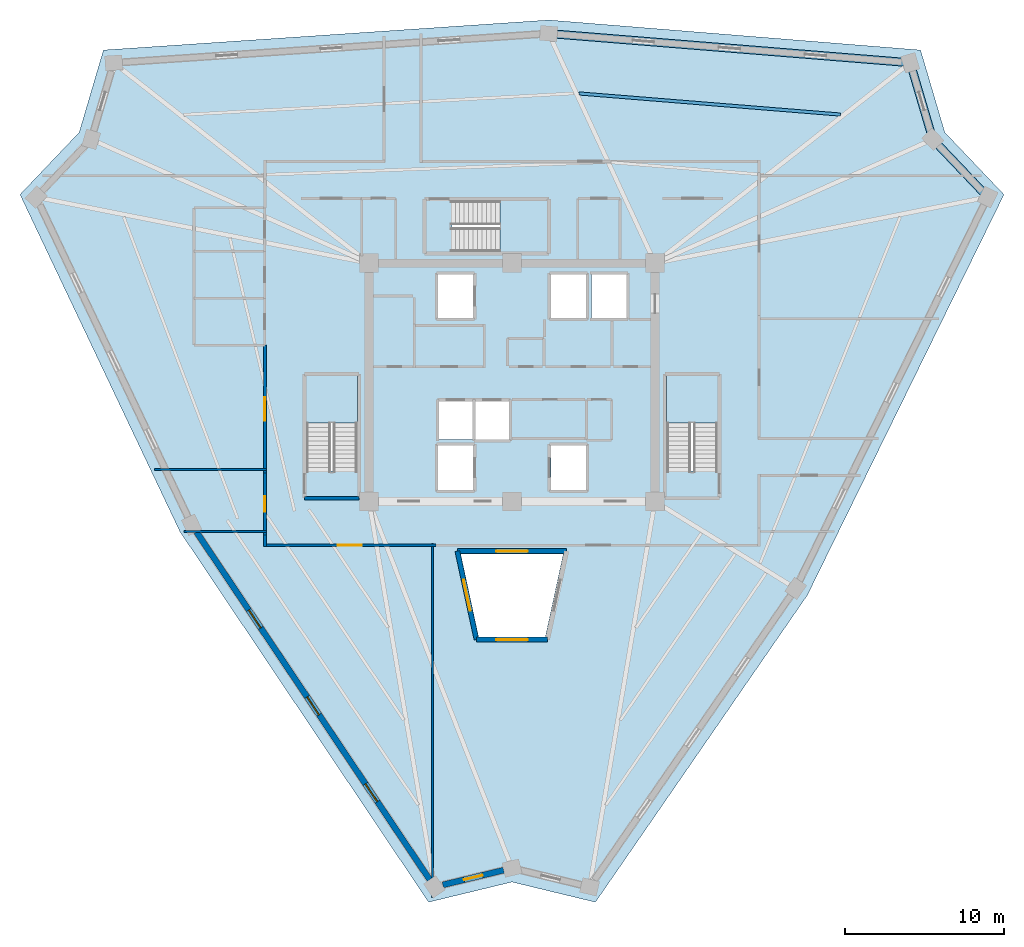
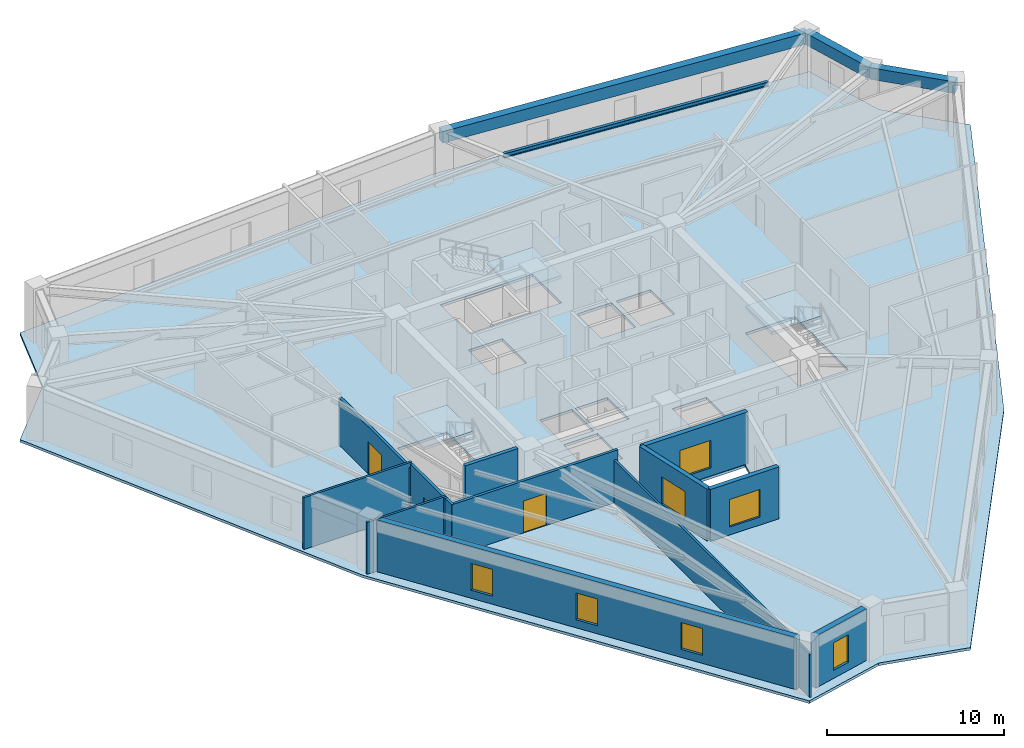
# One storey, part 2 of 8: 13 walls, 7 windows, 4 beams, 4 slabs, 3 doors, 10 openings, 3 elements without a shape of their own.
"""IFC4 building model written with IfcOpenShell, lengths in metres."""

import ifcopenshell
import ifcopenshell.guid

model = None  # the IFC model being written
_history = None  # IfcOwnerHistory: only IFC2X3 demands one
_inside = {}  # id of a spatial element -> (the spatial element, [elements in it])
_under = {}  # id of a project, library or spatial element -> (it, [spatial elements below it])
_declared = {}  # id of a project -> (the project, [libraries it declares])
_typed = {}  # id of a type object -> (the type object, [elements of that type])
_made_of = {}  # id of a material, layer set ... -> (it, [elements and type objects made of it])


def new_model(schema):
    """Start an empty IFC model of exactly this schema.

    Asked for "IFC4X3", IfcOpenShell would pick the latest addendum, in which some entities
    have other attributes; the version numbers below select the first issue.
    IFC2X3 requires an IfcOwnerHistory on every rooted entity: one is made here for all.
    """
    global model, _history
    if schema == "IFC4X3":
        model = ifcopenshell.file(schema_version=(4, 3, 0, 0))
    else:
        model = ifcopenshell.file(schema=schema)
    _inside.clear()
    _under.clear()
    _declared.clear()
    _typed.clear()
    _made_of.clear()
    _history = None
    if model.schema == "IFC2X3":
        org = make("IfcOrganization", Name="unknown")
        user = make(
            "IfcPersonAndOrganization",
            ThePerson=make("IfcPerson", FamilyName="unknown"),
            TheOrganization=org,
        )
        app = make(
            "IfcApplication",
            ApplicationDeveloper=org,
            Version="unknown",
            ApplicationFullName="unknown",
            ApplicationIdentifier="unknown",
        )
        _history = make(
            "IfcOwnerHistory",
            OwningUser=user,
            OwningApplication=app,
            ChangeAction="ADDED",
            CreationDate=0,
        )
    return model


def make(cls, **values):
    """One entity of the class cls with the attributes given. An attribute that is None is left unset."""
    return model.create_entity(
        cls, **{name: value for name, value in values.items() if value is not None}
    )


def rooted(cls, **values):
    """An entity with a GlobalId (a new one), such as an element, a storey or a relation."""
    return make(cls, GlobalId=ifcopenshell.guid.new(), OwnerHistory=_history, **values)


def si_unit(unit_type, name, prefix=None):
    """IfcSIUnit, for example si_unit("LENGTHUNIT", "METRE", prefix="MILLI")."""
    return make("IfcSIUnit", UnitType=unit_type, Prefix=prefix, Name=name)


def assignment(units):
    """IfcUnitAssignment: the units of a project."""
    return None if units is None else make("IfcUnitAssignment", Units=units)


def point(xyz):
    """IfcCartesianPoint."""
    return None if xyz is None else make("IfcCartesianPoint", Coordinates=xyz)


def direction(xyz):
    """IfcDirection."""
    return None if xyz is None else make("IfcDirection", DirectionRatios=xyz)


def frame(location, z_axis=None, x_axis=None):
    """IfcAxis2Placement3D, a coordinate frame: its origin and axes. An axis left out is left unset."""
    return make(
        "IfcAxis2Placement3D",
        Location=point(location),
        Axis=direction(z_axis),
        RefDirection=direction(x_axis),
    )


def frame_2d(location, x_axis=None):
    """IfcAxis2Placement2D, a coordinate frame in the plane: its origin and x axis."""
    return make(
        "IfcAxis2Placement2D", Location=point(location), RefDirection=direction(x_axis)
    )


def origin():
    """The frame at (0, 0, 0) with its axes left unset."""
    return frame((0.0, 0.0, 0.0))


def origin_2d():
    """The frame at (0, 0) in the plane with its x axis left unset."""
    return frame_2d((0.0, 0.0))


def place(relative_to, where):
    """IfcLocalPlacement: puts the frame where relative to a parent placement (None: the world)."""
    return make(
        "IfcLocalPlacement", PlacementRelTo=relative_to, RelativePlacement=where
    )


def context(
    kind, dimensions, precision=None, world=None, true_north=None, identifier=None
):
    """IfcGeometricRepresentationContext, for example the 3D "Model" context."""
    return make(
        "IfcGeometricRepresentationContext",
        ContextIdentifier=identifier,
        ContextType=kind,
        CoordinateSpaceDimension=dimensions,
        Precision=precision,
        WorldCoordinateSystem=world,
        TrueNorth=true_north,
    )


def subcontext(parent, identifier, kind, view, scale=None):
    """IfcGeometricRepresentationSubContext, for example "Body" below "Model"."""
    return make(
        "IfcGeometricRepresentationSubContext",
        ContextIdentifier=identifier,
        ContextType=kind,
        ParentContext=parent,
        TargetScale=scale,
        TargetView=view,
    )


def project(units=None, contexts=None):
    """IfcProject with its units and contexts."""
    return rooted(
        "IfcProject",
        Name="project",
        RepresentationContexts=contexts,
        UnitsInContext=assignment(units),
    )


def spatial(cls, under=None, at=None, **own):
    """A site, building, storey or space (cls), placed at a placement, below another one or the project."""
    s = rooted(cls, ObjectPlacement=at, **own)
    if under is not None:
        _under.setdefault(under.id(), (under, []))[1].append(s)
    return s


def polyline(points):
    """IfcPolyline through the points."""
    return make("IfcPolyline", Points=[point(p) for p in points])


def profile(cls, at=None, kind="AREA", **sizes):
    """A parametric profile (cls). Its sizes go by their IFC names, for example OverallWidth=200.0."""
    return make(cls, ProfileType=kind, Position=at, **sizes)


def rectangle(**sizes):
    """IfcRectangleProfileDef."""
    return profile("IfcRectangleProfileDef", **sizes)


def i_section(**sizes):
    """IfcIShapeProfileDef."""
    return profile("IfcIShapeProfileDef", **sizes)


def outline(outer, holes=None, kind="AREA"):
    """IfcArbitraryClosedProfileDef: a profile drawn as a closed curve; with holes, ...WithVoids."""
    if holes is None:
        return make("IfcArbitraryClosedProfileDef", ProfileType=kind, OuterCurve=outer)
    return make(
        "IfcArbitraryProfileDefWithVoids",
        ProfileType=kind,
        OuterCurve=outer,
        InnerCurves=holes,
    )


def extrude(swept, where, along, depth):
    """IfcExtrudedAreaSolid: the profile swept, set in the frame where, extruded along a direction by depth."""
    return make(
        "IfcExtrudedAreaSolid",
        SweptArea=swept,
        Position=where,
        ExtrudedDirection=direction(along),
        Depth=depth,
    )


def shape(context_of_items, identifier, shape_type, items):
    """IfcShapeRepresentation: the items that make up one representation, for example the "Body"."""
    return make(
        "IfcShapeRepresentation",
        ContextOfItems=context_of_items,
        RepresentationIdentifier=identifier,
        RepresentationType=shape_type,
        Items=items,
    )


def source(mapping_origin, context_of_items, identifier, shape_type, items):
    """IfcRepresentationMap: a shape defined once, which mapped items show again and again."""
    return make(
        "IfcRepresentationMap",
        MappingOrigin=mapping_origin,
        MappedRepresentation=shape(context_of_items, identifier, shape_type, items),
    )


def transform(
    local_origin,
    x_axis=None,
    y_axis=None,
    z_axis=None,
    scale=None,
    scale2=None,
    scale3=None,
    uniform=True,
):
    """IfcCartesianTransformationOperator3D, or its non-uniform kind. x_axis, y_axis, z_axis: its Axis1, 2, 3."""
    if uniform:
        return make(
            "IfcCartesianTransformationOperator3D",
            Axis1=direction(x_axis),
            Axis2=direction(y_axis),
            LocalOrigin=point(local_origin),
            Scale=scale,
            Axis3=direction(z_axis),
        )
    return make(
        "IfcCartesianTransformationOperator3DnonUniform",
        Axis1=direction(x_axis),
        Axis2=direction(y_axis),
        LocalOrigin=point(local_origin),
        Scale=scale,
        Axis3=direction(z_axis),
        Scale2=scale2,
        Scale3=scale3,
    )


def mapped(mapping_source, mapping_target):
    """IfcMappedItem: shows the shape of a source again, moved by a transform."""
    return make(
        "IfcMappedItem", MappingSource=mapping_source, MappingTarget=mapping_target
    )


def material(Name=None, Category=None):
    """IfcMaterial."""
    return make("IfcMaterial", Name=Name, Category=Category)


def layer(
    of_material, thickness, ventilated=None, Name=None, Category=None, Priority=None
):
    """IfcMaterialLayer: one layer of a wall or slab, of a material (None: an air gap)."""
    return make(
        "IfcMaterialLayer",
        Material=of_material,
        LayerThickness=thickness,
        IsVentilated=ventilated,
        Name=Name,
        Category=Category,
        Priority=Priority,
    )


def layer_set(layers, Name=None):
    """IfcMaterialLayerSet."""
    return make("IfcMaterialLayerSet", MaterialLayers=layers, LayerSetName=Name)


def material_profile(
    of_material, cross_section, Name=None, Category=None, Priority=None
):
    """IfcMaterialProfile: a cross section and its material."""
    return make(
        "IfcMaterialProfile",
        Name=Name,
        Material=of_material,
        Profile=cross_section,
        Priority=Priority,
        Category=Category,
    )


def profile_set(profiles, Name=None, composite=None):
    """IfcMaterialProfileSet."""
    return make(
        "IfcMaterialProfileSet",
        Name=Name,
        MaterialProfiles=profiles,
        CompositeProfile=composite,
    )


def made_of(thing, what):
    """Note that an element or type object is made of a material, layer set ...; save() writes the relation."""
    if what is not None:
        _made_of.setdefault(what.id(), (what, []))[1].append(thing)
    return thing


def type_object(cls, material=None, **own):
    """A type object (cls), such as IfcWallType, which elements share."""
    return made_of(rooted(cls, **own), material)


def element(
    cls,
    number,
    at=None,
    inside=None,
    cuts=None,
    type_object=None,
    material=None,
    context=None,
    identifier="Body",
    shape_type=None,
    held_by="IfcProductDefinitionShape",
    body=None,
    shapes=None,
    **own,
):
    """One element of the class cls, such as IfcWall. Its Tag is "e" and its number.

    at: its placement. inside: the storey or other place that contains it. cuts: it is an
    opening in that element (IfcRelVoidsElement). A single representation is given by context,
    identifier, shape_type and body (its items); several are given by shapes. held_by: the class
    of the entity that holds the representations. save() writes the other relations.
    """
    e = rooted(cls, Tag="e%d" % number, ObjectPlacement=at, **own)
    if body is not None:
        shapes = [shape(context, identifier, shape_type, body)]
    if shapes is not None:
        e.Representation = make(held_by, Representations=shapes)
    if inside is not None:
        _inside.setdefault(inside.id(), (inside, []))[1].append(e)
    if cuts is not None:
        rooted(
            "IfcRelVoidsElement", RelatingBuildingElement=cuts, RelatedOpeningElement=e
        )
    if type_object is not None:
        _typed.setdefault(type_object.id(), (type_object, []))[1].append(e)
    return made_of(e, material)


def fill(opening, filler):
    """IfcRelFillsElement: the door or window that sits in an opening."""
    return rooted(
        "IfcRelFillsElement",
        RelatingOpeningElement=opening,
        RelatedBuildingElement=filler,
    )


def aggregate(whole, parts):
    """IfcRelAggregates: a whole, such as a stair, and the parts it consists of."""
    return rooted("IfcRelAggregates", RelatingObject=whole, RelatedObjects=parts)


def save(model, path):
    """Write the relations noted so far, then the file.

    IfcRelAggregates (storeys below a building ...), IfcRelContainedInSpatialStructure (elements
    in a storey), IfcRelDefinesByType, IfcRelAssociatesMaterial and IfcRelDeclares: one each for
    every whole, place, type object, material and project.
    """
    for whole, parts in _under.values():
        aggregate(whole, parts)
    for where, things in _inside.values():
        rooted(
            "IfcRelContainedInSpatialStructure",
            RelatedElements=things,
            RelatingStructure=where,
        )
    for kind, things in _typed.values():
        rooted("IfcRelDefinesByType", RelatedObjects=things, RelatingType=kind)
    for what, things in _made_of.values():
        rooted("IfcRelAssociatesMaterial", RelatedObjects=things, RelatingMaterial=what)
    for by, libraries in _declared.values():
        rooted("IfcRelDeclares", RelatingContext=by, RelatedDefinitions=libraries)
    model.write(path)


model = new_model("IFC4")

# Units and contexts
model_context = context("Model", 3, precision=1e-05, world=origin(), true_north=direction((0.0, 1.0)))
body_context = subcontext(model_context, "Body", "Model", "MODEL_VIEW")
ifc_project = project(units=[si_unit("LENGTHUNIT", "METRE"), si_unit("AREAUNIT", "SQUARE_METRE"), si_unit("VOLUMEUNIT", "CUBIC_METRE"), si_unit("PLANEANGLEUNIT", "RADIAN"), si_unit("MASSUNIT", "GRAM", prefix="KILO")], contexts=[model_context])

# Site, building, storey
site_placement = place(None, origin())
site = spatial("IfcSite", under=ifc_project, at=site_placement, CompositionType="ELEMENT")
building_placement = place(site_placement, origin())
building = spatial("IfcBuilding", under=site, at=building_placement, Name="Liaohun Quay Tower", CompositionType="ELEMENT")
storey_placement = place(building_placement, frame((0.0, 0.0, 312.75)))
storey = spatial("IfcBuildingStorey", under=building, at=storey_placement, Name="L81", CompositionType="ELEMENT", Elevation=312.75)

# Beams
ifc_material_1 = material(Name="Steel Q355D", Category="steel")
ifc_material_profile_1 = material_profile(ifc_material_1, i_section(OverallWidth=0.199951171875, OverallDepth=0.2939453125, WebThickness=0.008056640625, FlangeThickness=0.011962890625, at=origin_2d()), Name="HM294x200x8x12")
ifc_profile_set_1 = profile_set([ifc_material_profile_1], Name="Steel Q355D")
beam_type_1 = type_object("IfcBeamType", Name="BM-SEC-J4", PredefinedType="JOIST", material=ifc_profile_set_1)
shared_shape_1 = source(origin(), body_context, "Body", "SweptSolid", [
    extrude(i_section(OverallWidth=0.199951171875, OverallDepth=0.2939453125, WebThickness=0.008056640625, FlangeThickness=0.011962890625, at=origin_2d()), origin(), (0.0, 0.0, 1.0), 16.5078125),
])
beam_1_placement = place(storey_placement, frame((64.219970703125, 72.18408203125, 3.423095703125), z_axis=(0.996748723422, -0.080572838821, 0.0), x_axis=(0.080572838821, 0.996748723422, 0.0)))
element("IfcBeam", 1, at=beam_1_placement, inside=storey, type_object=beam_type_1, Name="L81 Wing Secondary Floor Joist SJ-09", PredefinedType="JOIST", context=body_context, shape_type="MappedRepresentation", body=[
    mapped(shared_shape_1, transform((0.0, 0.0, 0.0), x_axis=(1.0, 0.0, 0.0), y_axis=(0.0, 1.0, 0.0), z_axis=(0.0, 0.0, 1.0), scale=1.0)),
])
ifc_material_2 = material(Name="Precast concrete C50", Category="concrete")
ifc_material_profile_2 = material_profile(ifc_material_2, rectangle(XDim=0.5, YDim=0.800048828125, at=origin_2d()), Name="RC500x800")
ifc_profile_set_2 = profile_set([ifc_material_profile_2], Name="Precast concrete C50")
beam_type_2 = type_object("IfcBeamType", Name="BM-SPD-Z4", PredefinedType="SPANDREL", material=ifc_profile_set_2)
shared_shape_2 = source(origin(), body_context, "Body", "SweptSolid", [
    extrude(rectangle(XDim=0.5, YDim=0.800048828125, at=origin_2d()), origin(), (0.0, 0.0, 1.0), 22.838134765625),
])
beam_2_placement = place(storey_placement, frame((62.30908203125, 75.9560546875, 3.169921875), z_axis=(0.996752326166, -0.080528257666, 0.0), x_axis=(0.080528257666, 0.996752326166, 0.0)))
element("IfcBeam", 2, at=beam_2_placement, inside=storey, type_object=beam_type_2, Name="L81 Precast Spandrel Beam PC06-PC07", PredefinedType="SPANDREL", context=body_context, shape_type="MappedRepresentation", body=[
    mapped(shared_shape_2, transform((0.0, 0.0, 0.0), x_axis=(1.0, 0.0, 0.0), y_axis=(0.0, 1.0, 0.0), z_axis=(0.0, 0.0, 1.0), scale=1.0)),
])
shared_shape_3 = source(origin(), body_context, "Body", "SweptSolid", [
    extrude(rectangle(XDim=0.5, YDim=0.800048828125, at=origin_2d()), origin(), (0.0, 0.0, 1.0), 5.02587890625),
])
beam_3_placement = place(storey_placement, frame((85.072998046875, 74.116943359375, 3.169921875), z_axis=(0.282526612838, -0.95925946075, 0.0), x_axis=(0.95925946075, 0.282526612838, 0.0)))
element("IfcBeam", 3, at=beam_3_placement, inside=storey, type_object=beam_type_2, Name="L81 Precast Spandrel Beam PC07-PC08", PredefinedType="SPANDREL", context=body_context, shape_type="MappedRepresentation", body=[
    mapped(shared_shape_3, transform((0.0, 0.0, 0.0), x_axis=(1.0, 0.0, 0.0), y_axis=(0.0, 1.0, 0.0), z_axis=(0.0, 0.0, 1.0), scale=1.0)),
])
shared_shape_4 = source(origin(), body_context, "Body", "SweptSolid", [
    extrude(rectangle(XDim=0.5, YDim=0.800048828125, at=origin_2d()), origin(), (0.0, 0.0, 1.0), 5.017822265625),
])
beam_4_placement = place(storey_placement, frame((86.492919921875, 69.2958984375, 3.169921875), z_axis=(0.689348946572, -0.724429451265, 0.0), x_axis=(0.724429451265, 0.689348946572, 0.0)))
element("IfcBeam", 4, at=beam_4_placement, inside=storey, type_object=beam_type_2, Name="L81 Precast Spandrel Beam PC08-PC09", PredefinedType="SPANDREL", context=body_context, shape_type="MappedRepresentation", body=[
    mapped(shared_shape_4, transform((0.0, 0.0, 0.0), x_axis=(1.0, 0.0, 0.0), y_axis=(0.0, 1.0, 0.0), z_axis=(0.0, 0.0, 1.0), scale=1.0)),
])

# Stair, slab
ifc_material_3 = material(Name="Concrete C45", Category="concrete")
stair_type = type_object("IfcStairType", Name="STR-CORE-OFF", PredefinedType="HALF_TURN_STAIR", material=ifc_material_3)
stair_1_placement = place(storey_placement, origin())
stair_1 = element("IfcStair", 5, at=stair_1_placement, inside=storey, type_object=stair_type, Name="L81 Smokeproof Core Exit Stair ST-1", PredefinedType="HALF_TURN_STAIR")
ifc_layer_1 = layer(ifc_material_3, 0.199951171875, Name="Concrete C45", Category="concrete")
ifc_layer_set_1 = layer_set([ifc_layer_1], Name="Concrete C45")
slab_type_1 = type_object("IfcSlabType", Name="SLB-LND-200", PredefinedType="LANDING", material=ifc_layer_set_1)
slab_1_placement = place(storey_placement, frame((0.0, 0.0, 1.675048828125)))
slab_1 = element("IfcSlab", 6, at=slab_1_placement, type_object=slab_type_1, Name="ST-1 landing 1", PredefinedType="LANDING", context=body_context, shape_type="SweptSolid", body=[
    extrude(outline(polyline([(50.280029296875, 51.429931640625), (50.280029296875, 54.419921875), (47.0400390625, 54.419921875), (47.0400390625, 51.429931640625), (50.280029296875, 51.429931640625)])), origin(), (0.0, 0.0, 1.0), 0.199951171875),
])
aggregate(stair_1, [slab_1])

stair_2_placement = place(storey_placement, origin())
stair_2 = element("IfcStair", 7, at=stair_2_placement, inside=storey, type_object=stair_type, Name="L81 Smokeproof Core Exit Stair ST-2", PredefinedType="HALF_TURN_STAIR")
slab_2_placement = place(storey_placement, frame((0.0, 0.0, 1.675048828125)))
slab_2 = element("IfcSlab", 8, at=slab_2_placement, type_object=slab_type_1, Name="ST-2 landing 1", PredefinedType="LANDING", context=body_context, shape_type="SweptSolid", body=[
    extrude(outline(polyline([(72.9599609375, 51.429931640625), (72.9599609375, 54.419921875), (69.719970703125, 54.419921875), (69.719970703125, 51.429931640625), (72.9599609375, 51.429931640625)])), origin(), (0.0, 0.0, 1.0), 0.199951171875),
])
aggregate(stair_2, [slab_2])

stair_3_placement = place(storey_placement, origin())
stair_3 = element("IfcStair", 9, at=stair_3_placement, inside=storey, type_object=stair_type, Name="L81 Smokeproof Core Exit Stair ST-3", PredefinedType="HALF_TURN_STAIR")
slab_3_placement = place(storey_placement, frame((0.0, 0.0, 1.675048828125)))
slab_3 = element("IfcSlab", 10, at=slab_3_placement, type_object=slab_type_1, Name="ST-3 landing 1", PredefinedType="LANDING", context=body_context, shape_type="SweptSolid", body=[
    extrude(outline(polyline([(59.22998046875, 62.199951171875), (62.219970703125, 62.199951171875), (62.219970703125, 65.43994140625), (59.22998046875, 65.43994140625), (59.22998046875, 62.199951171875)])), origin(), (0.0, 0.0, 1.0), 0.199951171875),
])
aggregate(stair_3, [slab_3])

# Slab
ifc_layer_2 = layer(ifc_material_3, 0.179931640625, Name="Concrete C45", Category="concrete")
ifc_layer_set_2 = layer_set([ifc_layer_2], Name="Concrete C45")
slab_type_2 = type_object("IfcSlabType", Name="SLB-OFF-180", PredefinedType="FLOOR", material=ifc_layer_set_2)
slab_4_placement = place(storey_placement, frame((0.0, 0.0, -0.179931640625)))
element("IfcSlab", 11, at=slab_4_placement, inside=storey, type_object=slab_type_2, Name="L81 Structural Floor Slab", PredefinedType="FLOOR", context=body_context, shape_type="SweptSolid", body=[
    extrude(outline(polyline([(54.7470703125, 21.264892578125), (60.0, 22.533935546875), (65.2529296875, 21.264892578125), (78.594970703125, 40.591064453125), (90.97607421875, 65.818115234375), (87.25, 69.73291015625), (85.722900390625, 74.9169921875), (62.31494140625, 76.80810546875), (34.277099609375, 74.9169921875), (32.75, 69.73291015625), (29.02392578125, 65.818115234375), (39.090087890625, 44.60107421875), (54.7470703125, 21.264892578125)]), holes=[polyline([(57.56005859375, 50.030029296875), (55.340087890625, 50.030029296875), (55.340087890625, 47.2099609375), (57.56005859375, 47.2099609375), (57.56005859375, 50.030029296875)]), polyline([(47.0400390625, 54.419921875), (47.0400390625, 48.409912109375), (50.280029296875, 48.409912109375), (50.280029296875, 54.419921875), (47.0400390625, 54.419921875)]), polyline([(57.510009765625, 52.81005859375), (55.389892578125, 52.81005859375), (55.389892578125, 50.389892578125), (57.510009765625, 50.389892578125), (57.510009765625, 52.81005859375)]), polyline([(59.81005859375, 50.389892578125), (59.81005859375, 52.81005859375), (57.68994140625, 52.81005859375), (57.68994140625, 50.389892578125), (59.81005859375, 50.389892578125)]), polyline([(57.56005859375, 58.0400390625), (57.56005859375, 60.7900390625), (55.340087890625, 60.7900390625), (55.340087890625, 58.0400390625), (57.56005859375, 58.0400390625)]), polyline([(62.219970703125, 65.43994140625), (56.2099609375, 65.43994140625), (56.2099609375, 62.199951171875), (62.219970703125, 62.199951171875), (62.219970703125, 65.43994140625)]), polyline([(62.09912109375, 37.970947265625), (63.22998046875, 43.199951171875), (56.77001953125, 43.199951171875), (57.90087890625, 37.970947265625), (62.09912109375, 37.970947265625)]), polyline([(64.659912109375, 47.2099609375), (64.659912109375, 50.030029296875), (62.43994140625, 50.030029296875), (62.43994140625, 47.2099609375), (64.659912109375, 47.2099609375)]), polyline([(69.719970703125, 54.419921875), (69.719970703125, 48.409912109375), (72.9599609375, 48.409912109375), (72.9599609375, 54.419921875), (69.719970703125, 54.419921875)]), polyline([(64.659912109375, 58.0400390625), (64.659912109375, 60.7900390625), (62.43994140625, 60.7900390625), (62.43994140625, 58.0400390625), (64.659912109375, 58.0400390625)]), polyline([(67.2099609375, 58.0400390625), (67.2099609375, 60.7900390625), (64.989990234375, 60.7900390625), (64.989990234375, 58.0400390625), (67.2099609375, 58.0400390625)])]), origin(), (0.0, 0.0, 1.0), 0.179931640625),
])

# Wall, opening, window
ifc_material_4 = material(Name="Concrete C50", Category="concrete")
ifc_layer_3 = layer(ifc_material_4, 0.300048828125, Name="Concrete C50", Category="concrete")
ifc_layer_set_3 = layer_set([ifc_layer_3], Name="Concrete C50")
wall_type_1 = type_object("IfcWallType", Name="WAL-ATR-300", PredefinedType="SOLIDWALL", material=ifc_layer_set_3)
wall_1_placement = place(storey_placement, frame((57.763916015625, 37.801025390625, 0.0), z_axis=(0.0, 0.0, 1.0), x_axis=(-0.21145116659, 0.977388563545, 0.0)))
wall_1 = element("IfcWall", 12, at=wall_1_placement, inside=storey, type_object=wall_type_1, Name="L81 Atrium Fire Compartment Wall 1", PredefinedType="SOLIDWALL", context=body_context, shape_type="SweptSolid", body=[
    extrude(rectangle(XDim=5.697998046875, YDim=0.300048828125, at=frame_2d((2.84912109375, 0.0))), origin(), (0.0, 0.0, 1.0), 3.570068359375),
])
shared_shape_5 = source(origin(), body_context, "Body", "SweptSolid", [
    extrude(rectangle(XDim=2.0, YDim=1.89990234375, at=frame_2d((1.0, 0.949951171875))), frame((0.0, 0.159912109375, 0.0), z_axis=(0.0, -1.0, 0.0), x_axis=(1.0, 0.0, 0.0)), (0.0, 0.0, 1.0), 0.320068359375),
])
opening_1_placement = place(wall_1_placement, frame((1.84912109375, 0.0, 0.550048828125)))
opening_1 = element("IfcOpeningElement", 13, at=opening_1_placement, cuts=wall_1, Name="Opening W07", PredefinedType="OPENING", context=body_context, shape_type="MappedRepresentation", body=[
    mapped(shared_shape_5, transform((0.0, 0.0, 0.0), x_axis=(1.0, 0.0, 0.0), y_axis=(0.0, 1.0, 0.0), z_axis=(0.0, 0.0, 1.0), scale=1.0)),
])
ifc_material_5 = material(Name="Class A 180-min fire-resistant insulated glazing", Category="glass")
window_type_1 = type_object("IfcWindowType", Name="WIN-ATR-FIR", PartitioningType="DOUBLE_PANEL_VERTICAL", PredefinedType="WINDOW", material=ifc_material_5)
shared_shape_6 = source(origin(), body_context, "Body", "SweptSolid", [
    extrude(rectangle(XDim=2.0, YDim=1.89990234375, at=frame_2d((1.0, 0.949951171875))), frame((0.0, 0.030029296875, 0.0), z_axis=(0.0, -1.0, 0.0), x_axis=(1.0, 0.0, 0.0)), (0.0, 0.0, 1.0), 0.06005859375),
])
window_1_placement = place(opening_1_placement, origin())
window_1 = element("IfcWindow", 14, at=window_1_placement, inside=storey, type_object=window_type_1, Name="L81 Atrium Fire-Resistant Glazing W07-1", OverallHeight=1.89990234375, OverallWidth=2.0, PartitioningType="DOUBLE_PANEL_VERTICAL", PredefinedType="WINDOW", context=body_context, shape_type="MappedRepresentation", body=[
    mapped(shared_shape_6, transform((0.0, 0.0, 0.0), x_axis=(1.0, 0.0, 0.0), y_axis=(0.0, 1.0, 0.0), z_axis=(0.0, 0.0, 1.0), scale=1.0)),
])
fill(opening_1, window_1)

wall_2_placement = place(storey_placement, frame((56.55908203125, 43.3701171875, 0.0), z_axis=(0.0, 0.0, 1.0), x_axis=(1.0, 0.0, 0.0)))
wall_2 = element("IfcWall", 15, at=wall_2_placement, inside=storey, type_object=wall_type_1, Name="L81 Atrium Fire Compartment Wall 2", PredefinedType="SOLIDWALL", context=body_context, shape_type="SweptSolid", body=[
    extrude(rectangle(XDim=6.8818359375, YDim=0.300048828125, at=frame_2d((3.44091796875, 0.0))), origin(), (0.0, 0.0, 1.0), 3.570068359375),
])
opening_2_placement = place(wall_2_placement, frame((2.44091796875, 0.0, 0.550048828125)))
opening_2 = element("IfcOpeningElement", 16, at=opening_2_placement, cuts=wall_2, Name="Opening W07", PredefinedType="OPENING", context=body_context, shape_type="MappedRepresentation", body=[
    mapped(shared_shape_5, transform((0.0, 0.0, 0.0), x_axis=(1.0, 0.0, 0.0), y_axis=(0.0, 1.0, 0.0), z_axis=(0.0, 0.0, 1.0), scale=1.0)),
])
window_2_placement = place(opening_2_placement, origin())
window_2 = element("IfcWindow", 17, at=window_2_placement, inside=storey, type_object=window_type_1, Name="L81 Atrium Fire-Resistant Glazing W07-2", OverallHeight=1.89990234375, OverallWidth=2.0, PartitioningType="DOUBLE_PANEL_VERTICAL", PredefinedType="WINDOW", context=body_context, shape_type="MappedRepresentation", body=[
    mapped(shared_shape_6, transform((0.0, 0.0, 0.0), x_axis=(1.0, 0.0, 0.0), y_axis=(0.0, 1.0, 0.0), z_axis=(0.0, 0.0, 1.0), scale=1.0)),
])
fill(opening_2, window_2)

wall_3_placement = place(storey_placement, frame((62.236083984375, 37.801025390625, 0.0), z_axis=(0.0, 0.0, 1.0), x_axis=(-1.0, 0.0, 0.0)))
wall_3 = element("IfcWall", 18, at=wall_3_placement, inside=storey, type_object=wall_type_1, Name="L81 Atrium Fire Compartment Wall 4", PredefinedType="SOLIDWALL", context=body_context, shape_type="SweptSolid", body=[
    extrude(rectangle(XDim=4.47216796875, YDim=0.300048828125, at=frame_2d((2.236083984375, 0.0))), origin(), (0.0, 0.0, 1.0), 3.570068359375),
])
opening_3_placement = place(wall_3_placement, frame((1.236083984375, 0.0, 0.550048828125)))
opening_3 = element("IfcOpeningElement", 19, at=opening_3_placement, cuts=wall_3, Name="Opening W07", PredefinedType="OPENING", context=body_context, shape_type="MappedRepresentation", body=[
    mapped(shared_shape_5, transform((0.0, 0.0, 0.0), x_axis=(1.0, 0.0, 0.0), y_axis=(0.0, 1.0, 0.0), z_axis=(0.0, 0.0, 1.0), scale=1.0)),
])
window_3_placement = place(opening_3_placement, origin())
window_3 = element("IfcWindow", 20, at=window_3_placement, inside=storey, type_object=window_type_1, Name="L81 Atrium Fire-Resistant Glazing W07-4", OverallHeight=1.89990234375, OverallWidth=2.0, PartitioningType="DOUBLE_PANEL_VERTICAL", PredefinedType="WINDOW", context=body_context, shape_type="MappedRepresentation", body=[
    mapped(shared_shape_6, transform((0.0, 0.0, 0.0), x_axis=(1.0, 0.0, 0.0), y_axis=(0.0, 1.0, 0.0), z_axis=(0.0, 0.0, 1.0), scale=1.0)),
])
fill(opening_3, window_3)

# Wall, openings, windows
ifc_material_6 = material(Name="Precast concrete C50 insulated sandwich", Category="concrete")
ifc_layer_4 = layer(ifc_material_6, 0.3798828125, Name="Precast concrete C50 insulated sandwich", Category="concrete")
ifc_layer_set_4 = layer_set([ifc_layer_4], Name="Precast concrete C50 insulated sandwich")
wall_type_2 = type_object("IfcWallType", Name="WAL-EXT-Z34", PredefinedType="SOLIDWALL", material=ifc_layer_set_4)
wall_4_placement = place(storey_placement, frame((40.132080078125, 44.573974609375, 0.0), z_axis=(0.0, 0.0, 1.0), x_axis=(0.557129450607, -0.830425659085, 0.0)))
wall_4 = element("IfcWall", 21, at=wall_4_placement, inside=storey, type_object=wall_type_2, Name="L81 Brutalist Precast Pier Wall 11", PredefinedType="SOLIDWALL", context=body_context, shape_type="SweptSolid", body=[
    extrude(rectangle(XDim=26.3671875, YDim=0.3798828125, at=frame_2d((13.18359375, 0.0))), origin(), (0.0, 0.0, 1.0), 3.570068359375),
])
shared_shape_7 = source(origin(), body_context, "Body", "SweptSolid", [
    extrude(rectangle(XDim=1.35009765625, YDim=1.85009765625, at=frame_2d((0.675048828125, 0.925048828125))), frame((0.0, 0.199951171875, 0.0), z_axis=(0.0, -1.0, 0.0), x_axis=(1.0, 0.0, 0.0)), (0.0, 0.0, 1.0), 0.39990234375),
])
opening_4_placement = place(wall_4_placement, frame((5.9169921875, 0.0, 0.550048828125)))
opening_4 = element("IfcOpeningElement", 22, at=opening_4_placement, cuts=wall_4, Name="Opening W04", PredefinedType="OPENING", context=body_context, shape_type="MappedRepresentation", body=[
    mapped(shared_shape_7, transform((0.0, 0.0, 0.0), x_axis=(1.0, 0.0, 0.0), y_axis=(0.0, 1.0, 0.0), z_axis=(0.0, 0.0, 1.0), scale=1.0)),
])
opening_5_placement = place(wall_4_placement, frame((12.509033203125, 0.0, 0.550048828125)))
opening_5 = element("IfcOpeningElement", 23, at=opening_5_placement, cuts=wall_4, Name="Opening W04", PredefinedType="OPENING", context=body_context, shape_type="MappedRepresentation", body=[
    mapped(shared_shape_7, transform((0.0, 0.0, 0.0), x_axis=(1.0, 0.0, 0.0), y_axis=(0.0, 1.0, 0.0), z_axis=(0.0, 0.0, 1.0), scale=1.0)),
])
opening_6_placement = place(wall_4_placement, frame((19.10009765625, 0.0, 0.550048828125)))
opening_6 = element("IfcOpeningElement", 24, at=opening_6_placement, cuts=wall_4, Name="Opening W04", PredefinedType="OPENING", context=body_context, shape_type="MappedRepresentation", body=[
    mapped(shared_shape_7, transform((0.0, 0.0, 0.0), x_axis=(1.0, 0.0, 0.0), y_axis=(0.0, 1.0, 0.0), z_axis=(0.0, 0.0, 1.0), scale=1.0)),
])
ifc_material_7 = material(Name="Triple Low-E argon glazing in thermally broken aluminium", Category="aluminium")
window_type_2 = type_object("IfcWindowType", Name="WIN-PUN-Z4", PartitioningType="SINGLE_PANEL", PredefinedType="WINDOW", material=ifc_material_7)
shared_shape_8 = source(origin(), body_context, "Body", "SweptSolid", [
    extrude(rectangle(XDim=1.35009765625, YDim=1.85009765625, at=frame_2d((0.675048828125, 0.925048828125))), frame((0.0, 0.030029296875, 0.0), z_axis=(0.0, -1.0, 0.0), x_axis=(1.0, 0.0, 0.0)), (0.0, 0.0, 1.0), 0.06005859375),
])
window_4_placement = place(opening_4_placement, origin())
window_4 = element("IfcWindow", 25, at=window_4_placement, inside=storey, type_object=window_type_2, Name="L81 Recessed Cold-Climate Punched Window 11-1", OverallHeight=1.85009765625, OverallWidth=1.35009765625, PartitioningType="SINGLE_PANEL", PredefinedType="WINDOW", context=body_context, shape_type="MappedRepresentation", body=[
    mapped(shared_shape_8, transform((0.0, 0.0, 0.0), x_axis=(1.0, 0.0, 0.0), y_axis=(0.0, 1.0, 0.0), z_axis=(0.0, 0.0, 1.0), scale=1.0)),
])
fill(opening_4, window_4)
window_5_placement = place(opening_5_placement, origin())
window_5 = element("IfcWindow", 26, at=window_5_placement, inside=storey, type_object=window_type_2, Name="L81 Recessed Cold-Climate Punched Window 11-2", OverallHeight=1.85009765625, OverallWidth=1.35009765625, PartitioningType="SINGLE_PANEL", PredefinedType="WINDOW", context=body_context, shape_type="MappedRepresentation", body=[
    mapped(shared_shape_8, transform((0.0, 0.0, 0.0), x_axis=(1.0, 0.0, 0.0), y_axis=(0.0, 1.0, 0.0), z_axis=(0.0, 0.0, 1.0), scale=1.0)),
])
fill(opening_5, window_5)
window_6_placement = place(opening_6_placement, origin())
window_6 = element("IfcWindow", 27, at=window_6_placement, inside=storey, type_object=window_type_2, Name="L81 Recessed Cold-Climate Punched Window 11-3", OverallHeight=1.85009765625, OverallWidth=1.35009765625, PartitioningType="SINGLE_PANEL", PredefinedType="WINDOW", context=body_context, shape_type="MappedRepresentation", body=[
    mapped(shared_shape_8, transform((0.0, 0.0, 0.0), x_axis=(1.0, 0.0, 0.0), y_axis=(0.0, 1.0, 0.0), z_axis=(0.0, 0.0, 1.0), scale=1.0)),
])
fill(opening_6, window_6)

# Wall, opening, window
wall_5_placement = place(storey_placement, frame((55.64794921875, 22.35693359375, 0.0), z_axis=(0.0, 0.0, 1.0), x_axis=(0.9720661116, 0.234707210539, 0.0)))
wall_5 = element("IfcWall", 28, at=wall_5_placement, inside=storey, type_object=wall_type_2, Name="L81 Brutalist Precast Pier Wall 12", PredefinedType="SOLIDWALL", context=body_context, shape_type="SweptSolid", body=[
    extrude(rectangle(XDim=3.93701171875, YDim=0.3798828125, at=frame_2d((1.968505859375, 0.0))), origin(), (0.0, 0.0, 1.0), 3.570068359375),
])
shared_shape_9 = source(origin(), body_context, "Body", "SweptSolid", [
    extrude(rectangle(XDim=1.199951171875, YDim=1.89990234375, at=frame_2d((0.60009765625, 0.949951171875))), frame((0.0, 0.199951171875, 0.0), z_axis=(0.0, -1.0, 0.0), x_axis=(1.0, 0.0, 0.0)), (0.0, 0.0, 1.0), 0.39990234375),
])
opening_7_placement = place(wall_5_placement, frame((1.367919921875, 0.0, 0.550048828125)))
opening_7 = element("IfcOpeningElement", 29, at=opening_7_placement, cuts=wall_5, Name="Opening W05", PredefinedType="OPENING", context=body_context, shape_type="MappedRepresentation", body=[
    mapped(shared_shape_9, transform((0.0, 0.0, 0.0), x_axis=(1.0, 0.0, 0.0), y_axis=(0.0, 1.0, 0.0), z_axis=(0.0, 0.0, 1.0), scale=1.0)),
])
ifc_material_8 = material(Name="Triple Low-E corner notch glazing", Category="glass")
window_type_3 = type_object("IfcWindowType", Name="WIN-NOTCH", PartitioningType="SINGLE_PANEL", PredefinedType="WINDOW", material=ifc_material_8)
shared_shape_10 = source(origin(), body_context, "Body", "SweptSolid", [
    extrude(rectangle(XDim=1.199951171875, YDim=1.89990234375, at=frame_2d((0.60009765625, 0.949951171875))), frame((0.0, 0.030029296875, 0.0), z_axis=(0.0, -1.0, 0.0), x_axis=(1.0, 0.0, 0.0)), (0.0, 0.0, 1.0), 0.06005859375),
])
window_7_placement = place(opening_7_placement, origin())
window_7 = element("IfcWindow", 30, at=window_7_placement, inside=storey, type_object=window_type_3, Name="L81 Corner Notch Window W05-12", OverallHeight=1.89990234375, OverallWidth=1.199951171875, PartitioningType="SINGLE_PANEL", PredefinedType="WINDOW", context=body_context, shape_type="MappedRepresentation", body=[
    mapped(shared_shape_10, transform((0.0, 0.0, 0.0), x_axis=(1.0, 0.0, 0.0), y_axis=(0.0, 1.0, 0.0), z_axis=(0.0, 0.0, 1.0), scale=1.0)),
])
fill(opening_7, window_7)

# Wall, opening, door
ifc_material_9 = material(Name="Autoclaved aerated concrete blockwork", Category="masonry")
ifc_layer_5 = layer(ifc_material_9, 0.179931640625, Name="Autoclaved aerated concrete blockwork", Category="masonry")
ifc_layer_set_5 = layer_set([ifc_layer_5], Name="Autoclaved aerated concrete blockwork")
wall_type_3 = type_object("IfcWallType", Name="WAL-PRT-COR", PredefinedType="PARTITIONING", material=ifc_layer_set_5)
wall_6_placement = place(storey_placement, frame((44.43994140625, 48.284912109375, 0.0), z_axis=(0.0, 0.0, 1.0), x_axis=(0.0, 1.0, 0.0)))
wall_6 = element("IfcWall", 31, at=wall_6_placement, inside=storey, type_object=wall_type_3, Name="L81 Interior Partition Wall 019", PredefinedType="PARTITIONING", context=body_context, shape_type="SweptSolid", body=[
    extrude(rectangle(XDim=8.05517578125, YDim=0.179931640625, at=frame_2d((4.027587890625, 0.0))), origin(), (0.0, 0.0, 1.0), 3.260986328125),
])
shared_shape_11 = source(origin(), body_context, "Body", "SweptSolid", [
    extrude(rectangle(XDim=1.5, YDim=2.199951171875, at=frame_2d((0.75, 1.10009765625))), frame((0.0, 0.099853515625, 0.0), z_axis=(0.0, -1.0, 0.0), x_axis=(1.0, 0.0, 0.0)), (0.0, 0.0, 1.0), 0.199951171875),
])
opening_8_placement = place(wall_6_placement, frame((3.278076171875, 0.0, 0.0)))
opening_8 = element("IfcOpeningElement", 32, at=opening_8_placement, cuts=wall_6, Name="Opening OD2", PredefinedType="OPENING", context=body_context, shape_type="MappedRepresentation", body=[
    mapped(shared_shape_11, transform((0.0, 0.0, 0.0), x_axis=(1.0, 0.0, 0.0), y_axis=(0.0, 1.0, 0.0), z_axis=(0.0, 0.0, 1.0), scale=1.0)),
])
ifc_material_10 = material(Name="Acoustic oak veneer double door")
door_type_1 = type_object("IfcDoorType", Name="DOR-OFF-1500", OperationType="DOUBLE_DOOR_SINGLE_SWING", PredefinedType="DOOR", material=ifc_material_10)
shared_shape_12 = source(origin(), body_context, "Body", "SweptSolid", [
    extrude(rectangle(XDim=1.5, YDim=2.199951171875, at=frame_2d((0.75, 1.10009765625))), frame((0.0, 0.02490234375, 0.0), z_axis=(0.0, -1.0, 0.0), x_axis=(1.0, 0.0, 0.0)), (0.0, 0.0, 1.0), 0.050048828125),
])
door_1_placement = place(opening_8_placement, origin())
door_1 = element("IfcDoor", 33, at=door_1_placement, inside=storey, type_object=door_type_1, Name="L81 Corporate Exhibition Gallery 05 Door", OperationType="DOUBLE_DOOR_SINGLE_SWING", OverallHeight=2.199951171875, OverallWidth=1.5, PredefinedType="DOOR", context=body_context, shape_type="MappedRepresentation", body=[
    mapped(shared_shape_12, transform((0.0, 0.0, 0.0), x_axis=(1.0, 0.0, 0.0), y_axis=(0.0, 1.0, 0.0), z_axis=(0.0, 0.0, 1.0), scale=1.0)),
])
fill(opening_8, door_1)

wall_7_placement = place(storey_placement, frame((44.43994140625, 44.385009765625, 0.0), z_axis=(0.0, 0.0, 1.0), x_axis=(0.0, 1.0, 0.0)))
wall_7 = element("IfcWall", 34, at=wall_7_placement, inside=storey, type_object=wall_type_3, Name="L81 Interior Partition Wall 020", PredefinedType="PARTITIONING", context=body_context, shape_type="SweptSolid", body=[
    extrude(rectangle(XDim=3.89990234375, YDim=0.179931640625, at=frame_2d((1.949951171875, 0.0))), origin(), (0.0, 0.0, 1.0), 3.570068359375),
])
shared_shape_13 = source(origin(), body_context, "Body", "SweptSolid", [
    extrude(rectangle(XDim=1.0, YDim=2.199951171875, at=frame_2d((0.5, 1.10009765625))), frame((0.0, 0.099853515625, 0.0), z_axis=(0.0, -1.0, 0.0), x_axis=(1.0, 0.0, 0.0)), (0.0, 0.0, 1.0), 0.199951171875),
])
opening_9_placement = place(wall_7_placement, frame((1.449951171875, 0.0, 0.0)))
opening_9 = element("IfcOpeningElement", 35, at=opening_9_placement, cuts=wall_7, Name="Opening OD1", PredefinedType="OPENING", context=body_context, shape_type="MappedRepresentation", body=[
    mapped(shared_shape_13, transform((0.0, 0.0, 0.0), x_axis=(1.0, 0.0, 0.0), y_axis=(0.0, 1.0, 0.0), z_axis=(0.0, 0.0, 1.0), scale=1.0)),
])
ifc_material_11 = material(Name="Solid-core oak veneer timber leaf in steel frame", Category="steel")
door_type_2 = type_object("IfcDoorType", Name="DOR-OFF-1000", OperationType="NOTDEFINED", PredefinedType="DOOR", material=ifc_material_11)
shared_shape_14 = source(origin(), body_context, "Body", "SweptSolid", [
    extrude(rectangle(XDim=1.0, YDim=2.199951171875, at=frame_2d((0.5, 1.10009765625))), frame((0.0, 0.02490234375, 0.0), z_axis=(0.0, -1.0, 0.0), x_axis=(1.0, 0.0, 0.0)), (0.0, 0.0, 1.0), 0.050048828125),
])
door_2_placement = place(opening_9_placement, origin())
door_2 = element("IfcDoor", 36, at=door_2_placement, inside=storey, type_object=door_type_2, Name="L81 Staff Tea Kitchen and Pantry 06 Door", OperationType="SINGLE_SWING_LEFT", OverallHeight=2.199951171875, OverallWidth=1.0, PredefinedType="DOOR", context=body_context, shape_type="MappedRepresentation", body=[
    mapped(shared_shape_14, transform((0.0, 0.0, 0.0), x_axis=(1.0, 0.0, 0.0), y_axis=(0.0, 1.0, 0.0), z_axis=(0.0, 0.0, 1.0), scale=1.0)),
])
fill(opening_9, door_2)

wall_8_placement = place(storey_placement, frame((55.215087890625, 43.739990234375, 0.0), z_axis=(0.0, 0.0, 1.0), x_axis=(-1.0, 0.0, 0.0)))
wall_8 = element("IfcWall", 37, at=wall_8_placement, inside=storey, type_object=wall_type_3, Name="L81 Interior Partition Wall 021", PredefinedType="PARTITIONING", context=body_context, shape_type="SweptSolid", body=[
    extrude(rectangle(XDim=10.844970703125, YDim=0.179931640625, at=frame_2d((5.42236328125, 0.0))), origin(), (0.0, 0.0, 1.0), 3.570068359375),
])
opening_10_placement = place(wall_8_placement, frame((4.673095703125, 0.0, 0.0)))
opening_10 = element("IfcOpeningElement", 38, at=opening_10_placement, cuts=wall_8, Name="Opening OD2", PredefinedType="OPENING", context=body_context, shape_type="MappedRepresentation", body=[
    mapped(shared_shape_11, transform((0.0, 0.0, 0.0), x_axis=(1.0, 0.0, 0.0), y_axis=(0.0, 1.0, 0.0), z_axis=(0.0, 0.0, 1.0), scale=1.0)),
])
door_3_placement = place(opening_10_placement, origin())
door_3 = element("IfcDoor", 39, at=door_3_placement, inside=storey, type_object=door_type_1, Name="L81 Engineering Model Workshop 07 Door", OperationType="DOUBLE_DOOR_SINGLE_SWING", OverallHeight=2.199951171875, OverallWidth=1.5, PredefinedType="DOOR", context=body_context, shape_type="MappedRepresentation", body=[
    mapped(shared_shape_12, transform((0.0, 0.0, 0.0), x_axis=(1.0, 0.0, 0.0), y_axis=(0.0, 1.0, 0.0), z_axis=(0.0, 0.0, 1.0), scale=1.0)),
])
fill(opening_10, door_3)

# Walls
wall_9_placement = place(storey_placement, frame((44.43994140625, 43.669921875, 0.0), z_axis=(0.0, 0.0, 1.0), x_axis=(0.0, 1.0, 0.0)))
element("IfcWall", 40, at=wall_9_placement, inside=storey, type_object=wall_type_3, Name="L81 Interior Partition Wall 047", PredefinedType="PARTITIONING", context=body_context, shape_type="SweptSolid", body=[
    extrude(rectangle(XDim=0.715087890625, YDim=0.179931640625, at=frame_2d((0.357421875, 0.0))), origin(), (0.0, 0.0, 1.0), 3.570068359375),
])
ifc_material_12 = material(Name="Gypsum board on twin steel studs", Category="steel")
ifc_layer_6 = layer(ifc_material_12, 0.139892578125, Name="Gypsum board on twin steel studs", Category="steel")
ifc_layer_set_6 = layer_set([ifc_layer_6], Name="Gypsum board on twin steel studs")
wall_type_4 = type_object("IfcWallType", Name="WAL-PRT-OFF", PredefinedType="PARTITIONING", material=ifc_layer_set_6)
wall_10_placement = place(storey_placement, frame((44.5400390625, 44.60009765625, 0.0), z_axis=(0.0, 0.0, 1.0), x_axis=(-1.0, 0.0, 0.0)))
element("IfcWall", 41, at=wall_10_placement, inside=storey, type_object=wall_type_4, Name="L81 Interior Partition Wall 050", PredefinedType="PARTITIONING", context=body_context, shape_type="SweptSolid", body=[
    extrude(rectangle(XDim=5.18408203125, YDim=0.139892578125, at=frame_2d((2.592041015625, 0.0))), origin(), (0.0, 0.0, 1.0), 3.570068359375),
])
wall_11_placement = place(storey_placement, frame((44.5400390625, 48.5, 0.0), z_axis=(0.0, 0.0, 1.0), x_axis=(-1.0, 0.0, 0.0)))
element("IfcWall", 42, at=wall_11_placement, inside=storey, type_object=wall_type_4, Name="L81 Interior Partition Wall 051", PredefinedType="PARTITIONING", context=body_context, shape_type="SweptSolid", body=[
    extrude(rectangle(XDim=7.05615234375, YDim=0.139892578125, at=frame_2d((3.528076171875, 0.0))), origin(), (0.0, 0.0, 1.0), 3.570068359375),
])
wall_12_placement = place(storey_placement, frame((55.0, 43.840087890625, 0.0), z_axis=(0.0, 0.0, 1.0), x_axis=(0.0, -1.0, 0.0)))
element("IfcWall", 43, at=wall_12_placement, inside=storey, type_object=wall_type_4, Name="L81 Interior Partition Wall 056", PredefinedType="PARTITIONING", context=body_context, shape_type="SweptSolid", body=[
    extrude(rectangle(XDim=22.2880859375, YDim=0.139892578125, at=frame_2d((11.14404296875, 0.0))), origin(), (0.0, 0.0, 1.0), 2.967041015625),
])
ifc_layer_7 = layer(ifc_material_4, 0.239990234375, Name="Concrete C50", Category="concrete")
ifc_layer_set_7 = layer_set([ifc_layer_7], Name="Concrete C50")
wall_type_5 = type_object("IfcWallType", Name="WAL-SHF-200", PredefinedType="SOLIDWALL", material=ifc_layer_set_7)
wall_13_placement = place(storey_placement, frame((46.93994140625, 46.699951171875, 0.0), z_axis=(0.0, 0.0, 1.0), x_axis=(1.0, 0.0, 0.0)))
element("IfcWall", 44, at=wall_13_placement, inside=storey, type_object=wall_type_5, Name="L81 Stairwell ST-1 Structural Core Wall S", PredefinedType="SOLIDWALL", context=body_context, shape_type="SweptSolid", body=[
    extrude(rectangle(XDim=3.43994140625, YDim=0.239990234375, at=frame_2d((1.719970703125, 0.0))), origin(), (0.0, 0.0, 1.0), 3.570068359375),
])

save(model, "model.ifc")
